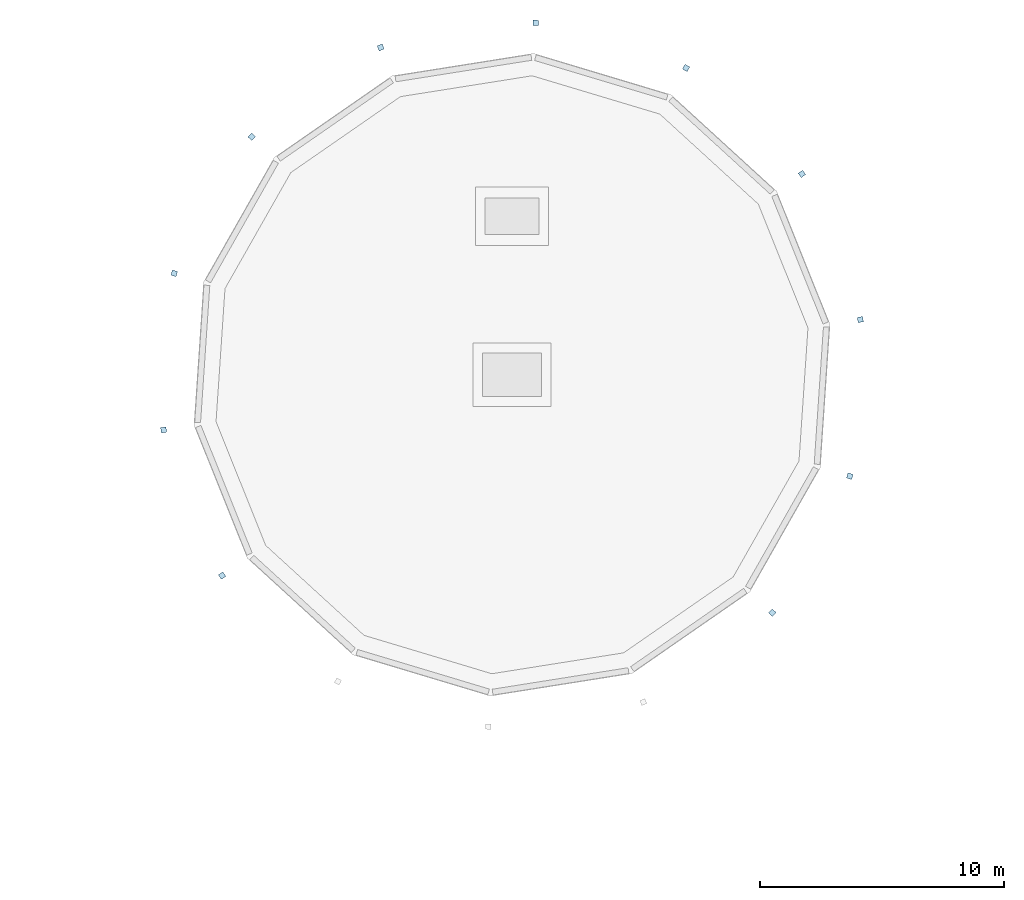
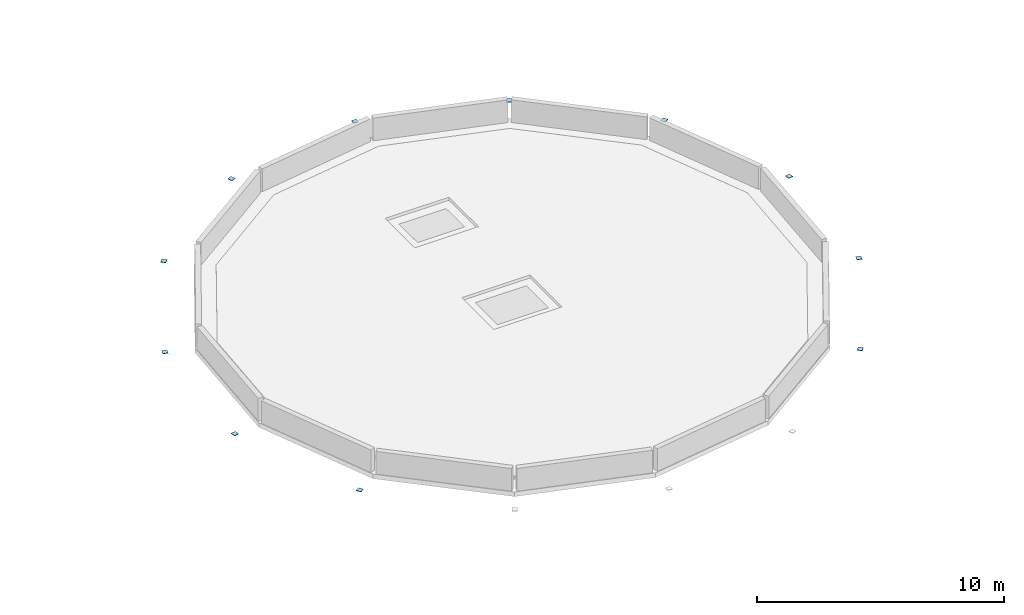
# One storey, part 11 of 18: 11 plates.
"""IFC4 building model written with IfcOpenShell, lengths in metres."""

from ifc_helpers import new_model, si_unit, direction, frame, origin, origin_2d, place, context, subcontext, project, spatial, rectangle, extrude, material, layer, layer_set, type_object, element, save


model = new_model("IFC4")

# Units and contexts
model_context = context("Model", 3, precision=1e-05, world=origin(), true_north=direction((0.0, 1.0)))
body_context = subcontext(model_context, "Body", "Model", "MODEL_VIEW")
ifc_project = project(units=[si_unit("LENGTHUNIT", "METRE"), si_unit("AREAUNIT", "SQUARE_METRE"), si_unit("VOLUMEUNIT", "CUBIC_METRE"), si_unit("PLANEANGLEUNIT", "RADIAN"), si_unit("MASSUNIT", "GRAM", prefix="KILO")], contexts=[model_context])

# Site, building, storey
site_placement = place(None, origin())
site = spatial("IfcSite", under=ifc_project, at=site_placement, CompositionType="ELEMENT")
building_placement = place(site_placement, origin())
building = spatial("IfcBuilding", under=site, at=building_placement, Name="Wrenclough Park School", CompositionType="ELEMENT")
storey_placement = place(building_placement, frame((0.0, 0.0, 20.800048828125)))
storey = spatial("IfcBuildingStorey", under=building, at=storey_placement, Name="L05", CompositionType="ELEMENT", Elevation=20.800048828125)

# Plates
ifc_material = material(Name="Structural steel S355", Category="steel")
ifc_layer = layer(ifc_material, 0.02197265625)
ifc_layer_set = layer_set([ifc_layer], Name="Structural steel S355")
plate_type = type_object("IfcPlateType", Name="STR-PL-EP180", PredefinedType="SHEET", material=ifc_layer_set)
for number, where, z_axis, x_axis, name in (
    (1, (97.272216796875, 110.760498046875, 0.0), (0.0, 0.0, 1.0), (-0.15643446504, 0.987688340595, 0.0), "Hollow steel column top sealing cap plate D4-OUT-01"),
    (2, (94.8779296875, 116.72900390625, 0.0), (0.0, 0.0, 1.0), (-0.569423005964, 0.822044670489, 0.0), "Hollow steel column top sealing cap plate D4-OUT-02"),
    (3, (90.131103515625, 121.06787109375, 0.0), (0.0, 0.0, 1.0), (-0.869753437661, 0.493486532416, 0.0), "Hollow steel column top sealing cap plate D4-OUT-03"),
    (4, (83.971923828125, 122.917236328125, 0.0), (0.0, 0.0, 1.0), (-0.997731519333, 0.067318759124, 0.0), "Hollow steel column top sealing cap plate D4-OUT-04"),
    (5, (77.620361328125, 121.911376953125, 0.0), (0.0, 0.0, 1.0), (-0.928096422365, -0.372339939832, 0.0), "Hollow steel column top sealing cap plate D4-OUT-05"),
    (6, (72.334228515625, 118.2490234375, 0.0), (0.0, 0.0, 1.0), (-0.674688949446, -0.738102175512, 0.0), "Hollow steel column top sealing cap plate D4-OUT-06"),
    (7, (69.160400390625, 112.65576171875, 0.0), (0.0, 0.0, 1.0), (-0.287527687034, -0.957772326385, 0.0), "Hollow steel column top sealing cap plate D4-OUT-07"),
    (8, (68.727783203125, 106.239501953125, 0.0), (0.0, 0.0, 1.0), (0.15643446504, -0.987688340595, 0.0), "Hollow steel column top sealing cap plate D4-OUT-08"),
    (9, (71.1220703125, 100.27099609375, 0.0), (0.0, 0.0, 1.0), (0.569423005964, -0.822044670489, 0.0), "Hollow steel column top sealing cap plate D4-OUT-09"),
    (10, (93.665771484375, 98.7509765625, 0.0), (0.0, 0.0, 1.0), (0.674688949446, 0.738102175512, 0.0), "Hollow steel column top sealing cap plate D4-OUT-13"),
    (11, (96.839599609375, 104.34423828125, 0.0), (0.0, 0.0, 1.0), (0.287527687034, 0.957772326385, 0.0), "Hollow steel column top sealing cap plate D4-OUT-14"),
):
    element("IfcPlate", number, at=place(storey_placement, frame(where, z_axis=z_axis, x_axis=x_axis)), inside=storey, type_object=plate_type, Name=name, PredefinedType="SHEET", context=body_context, shape_type="SweptSolid", body=[
        extrude(rectangle(XDim=0.219970703125, YDim=0.219970703125, at=origin_2d()), origin(), (0.0, 0.0, 1.0), 0.02197265625),
    ])

save(model, "model.ifc")
